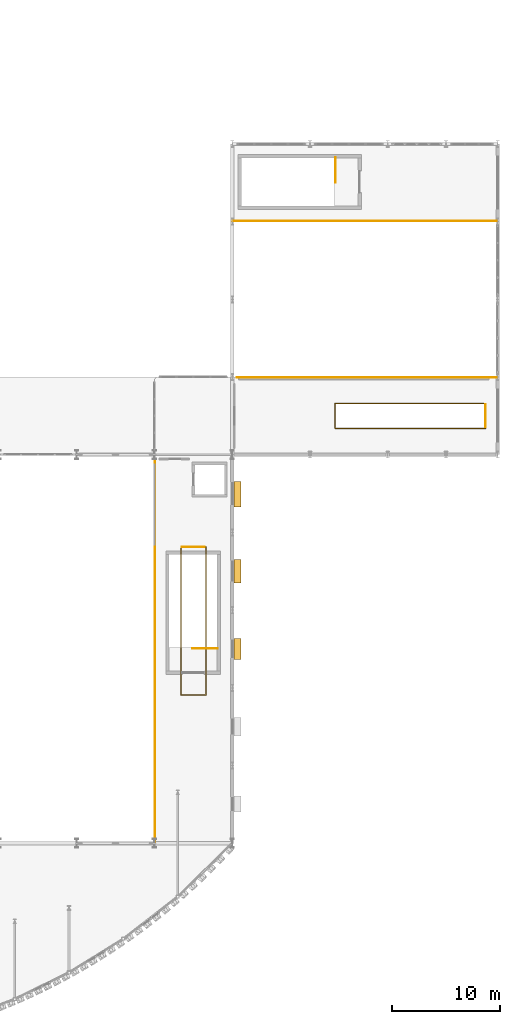
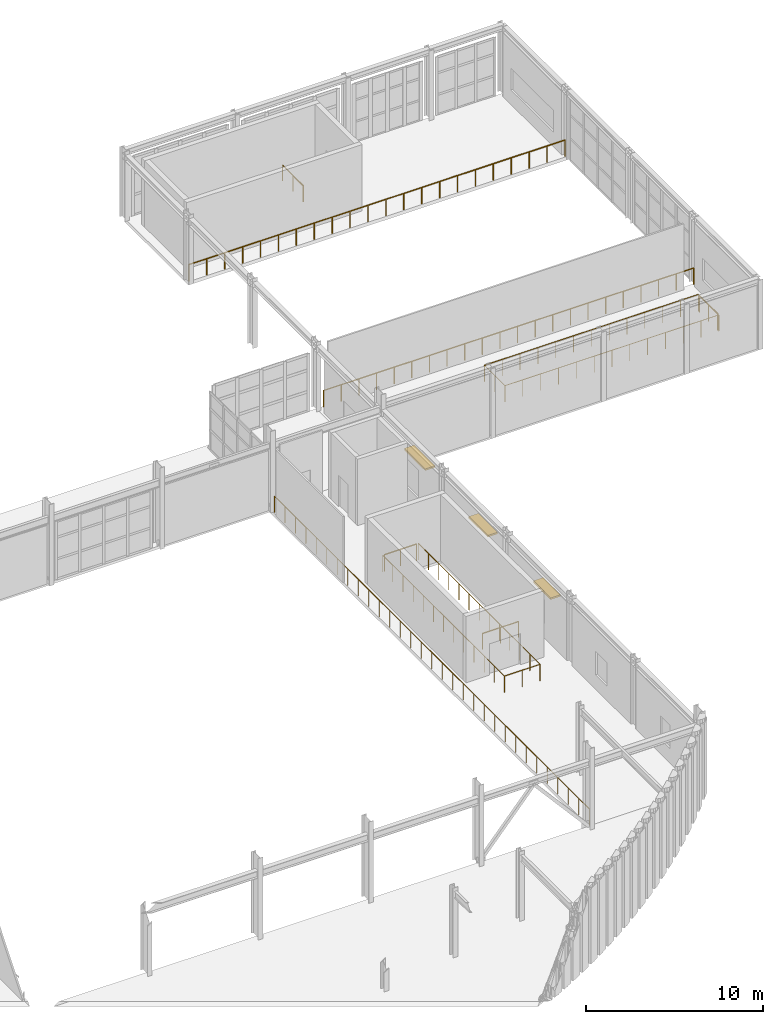
# One storey, part 126 of 126: 9 railings, 3 shading devices.
"""IFC4 building model written with IfcOpenShell, lengths in metres."""

from ifc_helpers import new_model, si_unit, direction, frame, origin, origin_2d, place, context, subcontext, project, spatial, rectangle, circle, extrude, material, type_object, element, save


model = new_model("IFC4")

# Units and contexts
model_context = context("Model", 3, precision=1e-05, world=origin(), true_north=direction((0.0, 1.0)))
body_context = subcontext(model_context, "Body", "Model", "MODEL_VIEW")
ifc_project = project(units=[si_unit("LENGTHUNIT", "METRE"), si_unit("AREAUNIT", "SQUARE_METRE"), si_unit("VOLUMEUNIT", "CUBIC_METRE"), si_unit("PLANEANGLEUNIT", "RADIAN"), si_unit("MASSUNIT", "GRAM", prefix="KILO")], contexts=[model_context])

# Site, building, storey
site_placement = place(None, origin())
site = spatial("IfcSite", under=ifc_project, at=site_placement, CompositionType="ELEMENT")
building_placement = place(site_placement, origin())
building = spatial("IfcBuilding", under=site, at=building_placement, Name="Solvadek Multi-Sports Hall", CompositionType="ELEMENT")
storey_placement = place(building_placement, frame((0.0, 0.0, 9.60009765625)))
storey = spatial("IfcBuildingStorey", under=building, at=storey_placement, Name="L02", CompositionType="ELEMENT", Elevation=9.60009765625)

# Shading devices
ifc_material_1 = material(Name="Perforated champagne-bronze anodised aluminium", Category="aluminium")
shading_device_type = type_object("IfcShadingDeviceType", Name="ENV-SHD-CHAJJA2", PredefinedType="JALOUSIE", material=ifc_material_1)
shading_device_1_placement = place(storey_placement, frame((137.26953125, 24.0, 2.669921875), z_axis=(0.0, 0.0, 1.0), x_axis=(0.0, 1.0, 0.0)))
element("IfcShadingDevice", 1, at=shading_device_1_placement, inside=storey, type_object=shading_device_type, Name="L02 Chajja Solar Shading Hood #60", PredefinedType="JALOUSIE", context=body_context, shape_type="SweptSolid", body=[
    extrude(rectangle(XDim=1.949951171875, YDim=0.639892578125, at=origin_2d()), origin(), (0.0, 0.0, 1.0), 0.1201171875),
])
shading_device_2_placement = place(storey_placement, frame((137.26953125, 31.199951171875, 2.669921875), z_axis=(0.0, 0.0, 1.0), x_axis=(0.0, 1.0, 0.0)))
element("IfcShadingDevice", 2, at=shading_device_2_placement, inside=storey, type_object=shading_device_type, Name="L02 Chajja Solar Shading Hood #62", PredefinedType="JALOUSIE", context=body_context, shape_type="SweptSolid", body=[
    extrude(rectangle(XDim=2.14990234375, YDim=0.639892578125, at=origin_2d()), origin(), (0.0, 0.0, 1.0), 0.1201171875),
])
shading_device_3_placement = place(storey_placement, frame((137.26953125, 38.35009765625, 2.9697265625), z_axis=(0.0, 0.0, 1.0), x_axis=(0.0, 1.0, 0.0)))
element("IfcShadingDevice", 3, at=shading_device_3_placement, inside=storey, type_object=shading_device_type, Name="L02 Chajja Solar Shading Hood #64", PredefinedType="JALOUSIE", context=body_context, shape_type="SweptSolid", body=[
    extrude(rectangle(XDim=2.35009765625, YDim=0.639892578125, at=origin_2d()), origin(), (0.0, 0.0, 1.0), 0.1201171875),
])

# Railings
ifc_material_2 = material(Name="Steel E250 (250 MPa)", Category="steel")
railing_type = type_object("IfcRailingType", Name="INT-RAL-GRD115", PredefinedType="BALUSTRADE", material=ifc_material_2)
railing_1_placement = place(storey_placement, frame((135.449951171875, 24.050048828125, 0.0)))
element("IfcRailing", 4, at=railing_1_placement, inside=storey, type_object=railing_type, Name="L02 ST-05 top well guard 1", PredefinedType="BALUSTRADE", context=body_context, shape_type="SweptSolid", body=[
    extrude(circle(Radius=0.02392578125, at=origin_2d()), frame((0.0, 0.0, 1.076171875), z_axis=(-1.0, 0.0, 0.0), x_axis=(0.0, -1.0, 0.0)), (0.0, 0.0, 1.0), 2.349853515625),
    extrude(circle(Radius=0.02099609375, at=origin_2d()), origin(), (0.0, 0.0, 1.0), 1.052001953125),
    extrude(circle(Radius=0.02099609375, at=origin_2d()), frame((-1.1748046875, 0.0, 0.0)), (0.0, 0.0, 1.0), 1.052001953125),
    extrude(circle(Radius=0.02099609375, at=origin_2d()), frame((-2.349853515625, 0.0, 0.0)), (0.0, 0.0, 1.0), 1.052001953125),
])
railing_2_placement = place(storey_placement, frame((146.35009765625, 69.550048828125, 0.0)))
element("IfcRailing", 5, at=railing_2_placement, inside=storey, type_object=railing_type, Name="L02 ST-06 top well guard 1", PredefinedType="BALUSTRADE", context=body_context, shape_type="SweptSolid", body=[
    extrude(circle(Radius=0.02392578125, at=origin_2d()), frame((0.0, 0.0, 1.076171875), z_axis=(0.0, -1.0, 0.0), x_axis=(1.0, 0.0, 0.0)), (0.0, 0.0, 1.0), 2.35009765625),
    extrude(circle(Radius=0.02099609375, at=origin_2d()), origin(), (0.0, 0.0, 1.0), 1.052001953125),
    extrude(circle(Radius=0.02099609375, at=origin_2d()), frame((0.0, -1.175048828125, 0.0)), (0.0, 0.0, 1.0), 1.052001953125),
    extrude(circle(Radius=0.02099609375, at=origin_2d()), frame((0.0, -2.35009765625, 0.0)), (0.0, 0.0, 1.0), 1.052001953125),
])
railing_3_placement = place(storey_placement, frame((132.0400390625, 33.4599609375, 0.0)))
element("IfcRailing", 6, at=railing_3_placement, inside=storey, type_object=railing_type, Name="L02 Void Edge Balustrade Guard #33", PredefinedType="BALUSTRADE", context=body_context, shape_type="SweptSolid", body=[
    extrude(circle(Radius=0.02392578125, at=origin_2d()), frame((0.0, 0.0, 1.1259765625), z_axis=(0.0, -1.0, 0.0), x_axis=(1.0, 0.0, 0.0)), (0.0, 0.0, 1.0), 13.719970703125),
    extrude(circle(Radius=0.02392578125, at=origin_2d()), frame((0.0, -13.719970703125, 1.1259765625), z_axis=(1.0, 0.0, 0.0), x_axis=(0.0, 1.0, 0.0)), (0.0, 0.0, 1.0), 2.320068359375),
    extrude(circle(Radius=0.02392578125, at=origin_2d()), frame((2.320068359375, -13.719970703125, 1.1259765625), z_axis=(0.0, 1.0, 0.0), x_axis=(-1.0, 0.0, 0.0)), (0.0, 0.0, 1.0), 13.719970703125),
    extrude(circle(Radius=0.02099609375, at=origin_2d()), origin(), (0.0, 0.0, 1.0), 1.101806640625),
    extrude(circle(Radius=0.02099609375, at=origin_2d()), frame((0.0, -1.143310546875, 0.0)), (0.0, 0.0, 1.0), 1.101806640625),
    extrude(circle(Radius=0.02099609375, at=origin_2d()), frame((0.0, -2.28662109375, 0.0)), (0.0, 0.0, 1.0), 1.101806640625),
    extrude(circle(Radius=0.02099609375, at=origin_2d()), frame((0.0, -3.429931640625, 0.0)), (0.0, 0.0, 1.0), 1.101806640625),
    extrude(circle(Radius=0.02099609375, at=origin_2d()), frame((0.0, -4.5732421875, 0.0)), (0.0, 0.0, 1.0), 1.101806640625),
    extrude(circle(Radius=0.02099609375, at=origin_2d()), frame((0.0, -5.716552734375, 0.0)), (0.0, 0.0, 1.0), 1.101806640625),
    extrude(circle(Radius=0.02099609375, at=origin_2d()), frame((0.0, -6.85986328125, 0.0)), (0.0, 0.0, 1.0), 1.101806640625),
    extrude(circle(Radius=0.02099609375, at=origin_2d()), frame((0.0, -8.00341796875, 0.0)), (0.0, 0.0, 1.0), 1.101806640625),
    extrude(circle(Radius=0.02099609375, at=origin_2d()), frame((0.0, -9.146728515625, 0.0)), (0.0, 0.0, 1.0), 1.101806640625),
    extrude(circle(Radius=0.02099609375, at=origin_2d()), frame((0.0, -10.2900390625, 0.0)), (0.0, 0.0, 1.0), 1.101806640625),
    extrude(circle(Radius=0.02099609375, at=origin_2d()), frame((0.0, -11.433349609375, 0.0)), (0.0, 0.0, 1.0), 1.101806640625),
    extrude(circle(Radius=0.02099609375, at=origin_2d()), frame((0.0, -12.57666015625, 0.0)), (0.0, 0.0, 1.0), 1.101806640625),
    extrude(circle(Radius=0.02099609375, at=origin_2d()), frame((0.0, -13.719970703125, 0.0)), (0.0, 0.0, 1.0), 1.101806640625),
    extrude(circle(Radius=0.02099609375, at=origin_2d()), frame((1.16015625, -13.719970703125, 0.0)), (0.0, 0.0, 1.0), 1.101806640625),
    extrude(circle(Radius=0.02099609375, at=origin_2d()), frame((2.320068359375, -13.719970703125, 0.0)), (0.0, 0.0, 1.0), 1.101806640625),
    extrude(circle(Radius=0.02099609375, at=origin_2d()), frame((2.320068359375, -12.57666015625, 0.0)), (0.0, 0.0, 1.0), 1.101806640625),
    extrude(circle(Radius=0.02099609375, at=origin_2d()), frame((2.320068359375, -11.433349609375, 0.0)), (0.0, 0.0, 1.0), 1.101806640625),
    extrude(circle(Radius=0.02099609375, at=origin_2d()), frame((2.320068359375, -10.2900390625, 0.0)), (0.0, 0.0, 1.0), 1.101806640625),
    extrude(circle(Radius=0.02099609375, at=origin_2d()), frame((2.320068359375, -9.146728515625, 0.0)), (0.0, 0.0, 1.0), 1.101806640625),
    extrude(circle(Radius=0.02099609375, at=origin_2d()), frame((2.320068359375, -8.00341796875, 0.0)), (0.0, 0.0, 1.0), 1.101806640625),
    extrude(circle(Radius=0.02099609375, at=origin_2d()), frame((2.320068359375, -6.85986328125, 0.0)), (0.0, 0.0, 1.0), 1.101806640625),
    extrude(circle(Radius=0.02099609375, at=origin_2d()), frame((2.320068359375, -5.716552734375, 0.0)), (0.0, 0.0, 1.0), 1.101806640625),
    extrude(circle(Radius=0.02099609375, at=origin_2d()), frame((2.320068359375, -4.5732421875, 0.0)), (0.0, 0.0, 1.0), 1.101806640625),
    extrude(circle(Radius=0.02099609375, at=origin_2d()), frame((2.320068359375, -3.429931640625, 0.0)), (0.0, 0.0, 1.0), 1.101806640625),
    extrude(circle(Radius=0.02099609375, at=origin_2d()), frame((2.320068359375, -2.28662109375, 0.0)), (0.0, 0.0, 1.0), 1.101806640625),
    extrude(circle(Radius=0.02099609375, at=origin_2d()), frame((2.320068359375, -1.143310546875, 0.0)), (0.0, 0.0, 1.0), 1.101806640625),
    extrude(circle(Radius=0.02099609375, at=origin_2d()), frame((2.320068359375, 0.0, 0.0)), (0.0, 0.0, 1.0), 1.101806640625),
])
railing_4_placement = place(storey_placement, frame((132.159912109375, 33.4599609375, 0.0)))
element("IfcRailing", 7, at=railing_4_placement, inside=storey, type_object=railing_type, Name="L02 Void Edge Balustrade Guard #34", PredefinedType="BALUSTRADE", context=body_context, shape_type="SweptSolid", body=[
    extrude(circle(Radius=0.02392578125, at=origin_2d()), frame((0.0, 0.0, 1.1259765625), z_axis=(1.0, 0.0, 0.0), x_axis=(0.0, 1.0, 0.0)), (0.0, 0.0, 1.0), 2.080078125),
    extrude(circle(Radius=0.02099609375, at=origin_2d()), origin(), (0.0, 0.0, 1.0), 1.101806640625),
    extrude(circle(Radius=0.02099609375, at=origin_2d()), frame((1.0400390625, 0.0, 0.0)), (0.0, 0.0, 1.0), 1.101806640625),
    extrude(circle(Radius=0.02099609375, at=origin_2d()), frame((2.080078125, 0.0, 0.0)), (0.0, 0.0, 1.0), 1.101806640625),
])
railing_5_placement = place(storey_placement, frame((160.260009765625, 44.43994140625, 0.0)))
element("IfcRailing", 8, at=railing_5_placement, inside=storey, type_object=railing_type, Name="L02 Void Edge Balustrade Guard #35", PredefinedType="BALUSTRADE", context=body_context, shape_type="SweptSolid", body=[
    extrude(circle(Radius=0.02392578125, at=origin_2d()), frame((0.0, 0.0, 1.1259765625), z_axis=(-1.0, 0.0, 0.0), x_axis=(0.0, -1.0, 0.0)), (0.0, 0.0, 1.0), 13.919921875),
    extrude(circle(Radius=0.02392578125, at=origin_2d()), frame((-13.919921875, 0.0, 1.1259765625), z_axis=(0.0, 1.0, 0.0), x_axis=(-1.0, 0.0, 0.0)), (0.0, 0.0, 1.0), 2.320068359375),
    extrude(circle(Radius=0.02392578125, at=origin_2d()), frame((-13.919921875, 2.320068359375, 1.1259765625), z_axis=(1.0, 0.0, 0.0), x_axis=(0.0, 1.0, 0.0)), (0.0, 0.0, 1.0), 13.919921875),
    extrude(circle(Radius=0.02099609375, at=origin_2d()), origin(), (0.0, 0.0, 1.0), 1.101806640625),
    extrude(circle(Radius=0.02099609375, at=origin_2d()), frame((-1.159912109375, 0.0, 0.0)), (0.0, 0.0, 1.0), 1.101806640625),
    extrude(circle(Radius=0.02099609375, at=origin_2d()), frame((-2.320068359375, 0.0, 0.0)), (0.0, 0.0, 1.0), 1.101806640625),
    extrude(circle(Radius=0.02099609375, at=origin_2d()), frame((-3.47998046875, 0.0, 0.0)), (0.0, 0.0, 1.0), 1.101806640625),
    extrude(circle(Radius=0.02099609375, at=origin_2d()), frame((-4.639892578125, 0.0, 0.0)), (0.0, 0.0, 1.0), 1.101806640625),
    extrude(circle(Radius=0.02099609375, at=origin_2d()), frame((-5.800048828125, 0.0, 0.0)), (0.0, 0.0, 1.0), 1.101806640625),
    extrude(circle(Radius=0.02099609375, at=origin_2d()), frame((-6.9599609375, 0.0, 0.0)), (0.0, 0.0, 1.0), 1.101806640625),
    extrude(circle(Radius=0.02099609375, at=origin_2d()), frame((-8.119873046875, 0.0, 0.0)), (0.0, 0.0, 1.0), 1.101806640625),
    extrude(circle(Radius=0.02099609375, at=origin_2d()), frame((-9.280029296875, 0.0, 0.0)), (0.0, 0.0, 1.0), 1.101806640625),
    extrude(circle(Radius=0.02099609375, at=origin_2d()), frame((-10.43994140625, 0.0, 0.0)), (0.0, 0.0, 1.0), 1.101806640625),
    extrude(circle(Radius=0.02099609375, at=origin_2d()), frame((-11.599853515625, 0.0, 0.0)), (0.0, 0.0, 1.0), 1.101806640625),
    extrude(circle(Radius=0.02099609375, at=origin_2d()), frame((-12.760009765625, 0.0, 0.0)), (0.0, 0.0, 1.0), 1.101806640625),
    extrude(circle(Radius=0.02099609375, at=origin_2d()), frame((-13.919921875, 0.0, 0.0)), (0.0, 0.0, 1.0), 1.101806640625),
    extrude(circle(Radius=0.02099609375, at=origin_2d()), frame((-13.919921875, 1.16015625, 0.0)), (0.0, 0.0, 1.0), 1.101806640625),
    extrude(circle(Radius=0.02099609375, at=origin_2d()), frame((-13.919921875, 2.320068359375, 0.0)), (0.0, 0.0, 1.0), 1.101806640625),
    extrude(circle(Radius=0.02099609375, at=origin_2d()), frame((-12.760009765625, 2.320068359375, 0.0)), (0.0, 0.0, 1.0), 1.101806640625),
    extrude(circle(Radius=0.02099609375, at=origin_2d()), frame((-11.599853515625, 2.320068359375, 0.0)), (0.0, 0.0, 1.0), 1.101806640625),
    extrude(circle(Radius=0.02099609375, at=origin_2d()), frame((-10.43994140625, 2.320068359375, 0.0)), (0.0, 0.0, 1.0), 1.101806640625),
    extrude(circle(Radius=0.02099609375, at=origin_2d()), frame((-9.280029296875, 2.320068359375, 0.0)), (0.0, 0.0, 1.0), 1.101806640625),
    extrude(circle(Radius=0.02099609375, at=origin_2d()), frame((-8.119873046875, 2.320068359375, 0.0)), (0.0, 0.0, 1.0), 1.101806640625),
    extrude(circle(Radius=0.02099609375, at=origin_2d()), frame((-6.9599609375, 2.320068359375, 0.0)), (0.0, 0.0, 1.0), 1.101806640625),
    extrude(circle(Radius=0.02099609375, at=origin_2d()), frame((-5.800048828125, 2.320068359375, 0.0)), (0.0, 0.0, 1.0), 1.101806640625),
    extrude(circle(Radius=0.02099609375, at=origin_2d()), frame((-4.639892578125, 2.320068359375, 0.0)), (0.0, 0.0, 1.0), 1.101806640625),
    extrude(circle(Radius=0.02099609375, at=origin_2d()), frame((-3.47998046875, 2.320068359375, 0.0)), (0.0, 0.0, 1.0), 1.101806640625),
    extrude(circle(Radius=0.02099609375, at=origin_2d()), frame((-2.320068359375, 2.320068359375, 0.0)), (0.0, 0.0, 1.0), 1.101806640625),
    extrude(circle(Radius=0.02099609375, at=origin_2d()), frame((-1.159912109375, 2.320068359375, 0.0)), (0.0, 0.0, 1.0), 1.101806640625),
    extrude(circle(Radius=0.02099609375, at=origin_2d()), frame((0.0, 2.320068359375, 0.0)), (0.0, 0.0, 1.0), 1.101806640625),
])
railing_6_placement = place(storey_placement, frame((160.260009765625, 44.56005859375, 0.0)))
element("IfcRailing", 9, at=railing_6_placement, inside=storey, type_object=railing_type, Name="L02 Void Edge Balustrade Guard #36", PredefinedType="BALUSTRADE", context=body_context, shape_type="SweptSolid", body=[
    extrude(circle(Radius=0.02392578125, at=origin_2d()), frame((0.0, 0.0, 1.1259765625), z_axis=(0.0, 1.0, 0.0), x_axis=(-1.0, 0.0, 0.0)), (0.0, 0.0, 1.0), 2.079833984375),
    extrude(circle(Radius=0.02099609375, at=origin_2d()), origin(), (0.0, 0.0, 1.0), 1.101806640625),
    extrude(circle(Radius=0.02099609375, at=origin_2d()), frame((0.0, 1.0400390625, 0.0)), (0.0, 0.0, 1.0), 1.101806640625),
    extrude(circle(Radius=0.02099609375, at=origin_2d()), frame((0.0, 2.079833984375, 0.0)), (0.0, 0.0, 1.0), 1.101806640625),
])
railing_7_placement = place(storey_placement, frame((137.25, 49.139892578125, 0.0)))
element("IfcRailing", 10, at=railing_7_placement, inside=storey, type_object=railing_type, Name="L02 Void Edge Balustrade Guard #56", PredefinedType="BALUSTRADE", context=body_context, shape_type="SweptSolid", body=[
    extrude(circle(Radius=0.02392578125, at=origin_2d()), frame((0.0, 0.0, 1.1259765625), z_axis=(1.0, 0.0, 0.0), x_axis=(0.0, 1.0, 0.0)), (0.0, 0.0, 1.0), 24.090087890625),
    extrude(circle(Radius=0.02099609375, at=origin_2d()), origin(), (0.0, 0.0, 1.0), 1.101806640625),
    extrude(circle(Radius=0.02099609375, at=origin_2d()), frame((1.147216796875, 0.0, 0.0)), (0.0, 0.0, 1.0), 1.101806640625),
    extrude(circle(Radius=0.02099609375, at=origin_2d()), frame((2.294189453125, 0.0, 0.0)), (0.0, 0.0, 1.0), 1.101806640625),
    extrude(circle(Radius=0.02099609375, at=origin_2d()), frame((3.44140625, 0.0, 0.0)), (0.0, 0.0, 1.0), 1.101806640625),
    extrude(circle(Radius=0.02099609375, at=origin_2d()), frame((4.588623046875, 0.0, 0.0)), (0.0, 0.0, 1.0), 1.101806640625),
    extrude(circle(Radius=0.02099609375, at=origin_2d()), frame((5.73583984375, 0.0, 0.0)), (0.0, 0.0, 1.0), 1.101806640625),
    extrude(circle(Radius=0.02099609375, at=origin_2d()), frame((6.8828125, 0.0, 0.0)), (0.0, 0.0, 1.0), 1.101806640625),
    extrude(circle(Radius=0.02099609375, at=origin_2d()), frame((8.030029296875, 0.0, 0.0)), (0.0, 0.0, 1.0), 1.101806640625),
    extrude(circle(Radius=0.02099609375, at=origin_2d()), frame((9.17724609375, 0.0, 0.0)), (0.0, 0.0, 1.0), 1.101806640625),
    extrude(circle(Radius=0.02099609375, at=origin_2d()), frame((10.32421875, 0.0, 0.0)), (0.0, 0.0, 1.0), 1.101806640625),
    extrude(circle(Radius=0.02099609375, at=origin_2d()), frame((11.471435546875, 0.0, 0.0)), (0.0, 0.0, 1.0), 1.101806640625),
    extrude(circle(Radius=0.02099609375, at=origin_2d()), frame((12.61865234375, 0.0, 0.0)), (0.0, 0.0, 1.0), 1.101806640625),
    extrude(circle(Radius=0.02099609375, at=origin_2d()), frame((13.765869140625, 0.0, 0.0)), (0.0, 0.0, 1.0), 1.101806640625),
    extrude(circle(Radius=0.02099609375, at=origin_2d()), frame((14.912841796875, 0.0, 0.0)), (0.0, 0.0, 1.0), 1.101806640625),
    extrude(circle(Radius=0.02099609375, at=origin_2d()), frame((16.06005859375, 0.0, 0.0)), (0.0, 0.0, 1.0), 1.101806640625),
    extrude(circle(Radius=0.02099609375, at=origin_2d()), frame((17.207275390625, 0.0, 0.0)), (0.0, 0.0, 1.0), 1.101806640625),
    extrude(circle(Radius=0.02099609375, at=origin_2d()), frame((18.354248046875, 0.0, 0.0)), (0.0, 0.0, 1.0), 1.101806640625),
    extrude(circle(Radius=0.02099609375, at=origin_2d()), frame((19.50146484375, 0.0, 0.0)), (0.0, 0.0, 1.0), 1.101806640625),
    extrude(circle(Radius=0.02099609375, at=origin_2d()), frame((20.648681640625, 0.0, 0.0)), (0.0, 0.0, 1.0), 1.101806640625),
    extrude(circle(Radius=0.02099609375, at=origin_2d()), frame((21.7958984375, 0.0, 0.0)), (0.0, 0.0, 1.0), 1.101806640625),
    extrude(circle(Radius=0.02099609375, at=origin_2d()), frame((22.94287109375, 0.0, 0.0)), (0.0, 0.0, 1.0), 1.101806640625),
    extrude(circle(Radius=0.02099609375, at=origin_2d()), frame((24.090087890625, 0.0, 0.0)), (0.0, 0.0, 1.0), 1.101806640625),
])
railing_8_placement = place(storey_placement, frame((136.860107421875, 63.659912109375, 0.0)))
element("IfcRailing", 11, at=railing_8_placement, inside=storey, type_object=railing_type, Name="L02 Void Edge Balustrade Guard #57", PredefinedType="BALUSTRADE", context=body_context, shape_type="SweptSolid", body=[
    extrude(circle(Radius=0.02392578125, at=origin_2d()), frame((0.0, 0.0, 1.1259765625), z_axis=(1.0, 0.0, 0.0), x_axis=(0.0, 1.0, 0.0)), (0.0, 0.0, 1.0), 24.47998046875),
    extrude(circle(Radius=0.02099609375, at=origin_2d()), origin(), (0.0, 0.0, 1.0), 1.101806640625),
    extrude(circle(Radius=0.02099609375, at=origin_2d()), frame((1.165771484375, 0.0, 0.0)), (0.0, 0.0, 1.0), 1.101806640625),
    extrude(circle(Radius=0.02099609375, at=origin_2d()), frame((2.33154296875, 0.0, 0.0)), (0.0, 0.0, 1.0), 1.101806640625),
    extrude(circle(Radius=0.02099609375, at=origin_2d()), frame((3.4970703125, 0.0, 0.0)), (0.0, 0.0, 1.0), 1.101806640625),
    extrude(circle(Radius=0.02099609375, at=origin_2d()), frame((4.662841796875, 0.0, 0.0)), (0.0, 0.0, 1.0), 1.101806640625),
    extrude(circle(Radius=0.02099609375, at=origin_2d()), frame((5.82861328125, 0.0, 0.0)), (0.0, 0.0, 1.0), 1.101806640625),
    extrude(circle(Radius=0.02099609375, at=origin_2d()), frame((6.994384765625, 0.0, 0.0)), (0.0, 0.0, 1.0), 1.101806640625),
    extrude(circle(Radius=0.02099609375, at=origin_2d()), frame((8.159912109375, 0.0, 0.0)), (0.0, 0.0, 1.0), 1.101806640625),
    extrude(circle(Radius=0.02099609375, at=origin_2d()), frame((9.32568359375, 0.0, 0.0)), (0.0, 0.0, 1.0), 1.101806640625),
    extrude(circle(Radius=0.02099609375, at=origin_2d()), frame((10.491455078125, 0.0, 0.0)), (0.0, 0.0, 1.0), 1.101806640625),
    extrude(circle(Radius=0.02099609375, at=origin_2d()), frame((11.6572265625, 0.0, 0.0)), (0.0, 0.0, 1.0), 1.101806640625),
    extrude(circle(Radius=0.02099609375, at=origin_2d()), frame((12.82275390625, 0.0, 0.0)), (0.0, 0.0, 1.0), 1.101806640625),
    extrude(circle(Radius=0.02099609375, at=origin_2d()), frame((13.988525390625, 0.0, 0.0)), (0.0, 0.0, 1.0), 1.101806640625),
    extrude(circle(Radius=0.02099609375, at=origin_2d()), frame((15.154296875, 0.0, 0.0)), (0.0, 0.0, 1.0), 1.101806640625),
    extrude(circle(Radius=0.02099609375, at=origin_2d()), frame((16.320068359375, 0.0, 0.0)), (0.0, 0.0, 1.0), 1.101806640625),
    extrude(circle(Radius=0.02099609375, at=origin_2d()), frame((17.485595703125, 0.0, 0.0)), (0.0, 0.0, 1.0), 1.101806640625),
    extrude(circle(Radius=0.02099609375, at=origin_2d()), frame((18.6513671875, 0.0, 0.0)), (0.0, 0.0, 1.0), 1.101806640625),
    extrude(circle(Radius=0.02099609375, at=origin_2d()), frame((19.817138671875, 0.0, 0.0)), (0.0, 0.0, 1.0), 1.101806640625),
    extrude(circle(Radius=0.02099609375, at=origin_2d()), frame((20.98291015625, 0.0, 0.0)), (0.0, 0.0, 1.0), 1.101806640625),
    extrude(circle(Radius=0.02099609375, at=origin_2d()), frame((22.1484375, 0.0, 0.0)), (0.0, 0.0, 1.0), 1.101806640625),
    extrude(circle(Radius=0.02099609375, at=origin_2d()), frame((23.314208984375, 0.0, 0.0)), (0.0, 0.0, 1.0), 1.101806640625),
    extrude(circle(Radius=0.02099609375, at=origin_2d()), frame((24.47998046875, 0.0, 0.0)), (0.0, 0.0, 1.0), 1.101806640625),
])
railing_9_placement = place(storey_placement, frame((129.659912109375, 6.06005859375, 0.0)))
element("IfcRailing", 12, at=railing_9_placement, inside=storey, type_object=railing_type, Name="L02 Void Edge Balustrade Guard #64", PredefinedType="BALUSTRADE", context=body_context, shape_type="SweptSolid", body=[
    extrude(circle(Radius=0.02392578125, at=origin_2d()), frame((0.0, 0.0, 1.1259765625), z_axis=(0.0, 1.0, 0.0), x_axis=(-1.0, 0.0, 0.0)), (0.0, 0.0, 1.0), 35.489990234375),
    extrude(circle(Radius=0.02099609375, at=origin_2d()), origin(), (0.0, 0.0, 1.0), 1.101806640625),
    extrude(circle(Radius=0.02099609375, at=origin_2d()), frame((0.0, 1.18310546875, 0.0)), (0.0, 0.0, 1.0), 1.101806640625),
    extrude(circle(Radius=0.02099609375, at=origin_2d()), frame((0.0, 2.365966796875, 0.0)), (0.0, 0.0, 1.0), 1.101806640625),
    extrude(circle(Radius=0.02099609375, at=origin_2d()), frame((0.0, 3.549072265625, 0.0)), (0.0, 0.0, 1.0), 1.101806640625),
    extrude(circle(Radius=0.02099609375, at=origin_2d()), frame((0.0, 4.73193359375, 0.0)), (0.0, 0.0, 1.0), 1.101806640625),
    extrude(circle(Radius=0.02099609375, at=origin_2d()), frame((0.0, 5.9150390625, 0.0)), (0.0, 0.0, 1.0), 1.101806640625),
    extrude(circle(Radius=0.02099609375, at=origin_2d()), frame((0.0, 7.097900390625, 0.0)), (0.0, 0.0, 1.0), 1.101806640625),
    extrude(circle(Radius=0.02099609375, at=origin_2d()), frame((0.0, 8.281005859375, 0.0)), (0.0, 0.0, 1.0), 1.101806640625),
    extrude(circle(Radius=0.02099609375, at=origin_2d()), frame((0.0, 9.464111328125, 0.0)), (0.0, 0.0, 1.0), 1.101806640625),
    extrude(circle(Radius=0.02099609375, at=origin_2d()), frame((0.0, 10.64697265625, 0.0)), (0.0, 0.0, 1.0), 1.101806640625),
    extrude(circle(Radius=0.02099609375, at=origin_2d()), frame((0.0, 11.830078125, 0.0)), (0.0, 0.0, 1.0), 1.101806640625),
    extrude(circle(Radius=0.02099609375, at=origin_2d()), frame((0.0, 13.012939453125, 0.0)), (0.0, 0.0, 1.0), 1.101806640625),
    extrude(circle(Radius=0.02099609375, at=origin_2d()), frame((0.0, 14.196044921875, 0.0)), (0.0, 0.0, 1.0), 1.101806640625),
    extrude(circle(Radius=0.02099609375, at=origin_2d()), frame((0.0, 15.37890625, 0.0)), (0.0, 0.0, 1.0), 1.101806640625),
    extrude(circle(Radius=0.02099609375, at=origin_2d()), frame((0.0, 16.56201171875, 0.0)), (0.0, 0.0, 1.0), 1.101806640625),
    extrude(circle(Radius=0.02099609375, at=origin_2d()), frame((0.0, 17.7451171875, 0.0)), (0.0, 0.0, 1.0), 1.101806640625),
    extrude(circle(Radius=0.02099609375, at=origin_2d()), frame((0.0, 18.927978515625, 0.0)), (0.0, 0.0, 1.0), 1.101806640625),
    extrude(circle(Radius=0.02099609375, at=origin_2d()), frame((0.0, 20.111083984375, 0.0)), (0.0, 0.0, 1.0), 1.101806640625),
    extrude(circle(Radius=0.02099609375, at=origin_2d()), frame((0.0, 21.2939453125, 0.0)), (0.0, 0.0, 1.0), 1.101806640625),
    extrude(circle(Radius=0.02099609375, at=origin_2d()), frame((0.0, 22.47705078125, 0.0)), (0.0, 0.0, 1.0), 1.101806640625),
    extrude(circle(Radius=0.02099609375, at=origin_2d()), frame((0.0, 23.659912109375, 0.0)), (0.0, 0.0, 1.0), 1.101806640625),
    extrude(circle(Radius=0.02099609375, at=origin_2d()), frame((0.0, 24.843017578125, 0.0)), (0.0, 0.0, 1.0), 1.101806640625),
    extrude(circle(Radius=0.02099609375, at=origin_2d()), frame((0.0, 26.02587890625, 0.0)), (0.0, 0.0, 1.0), 1.101806640625),
    extrude(circle(Radius=0.02099609375, at=origin_2d()), frame((0.0, 27.208984375, 0.0)), (0.0, 0.0, 1.0), 1.101806640625),
    extrude(circle(Radius=0.02099609375, at=origin_2d()), frame((0.0, 28.39208984375, 0.0)), (0.0, 0.0, 1.0), 1.101806640625),
    extrude(circle(Radius=0.02099609375, at=origin_2d()), frame((0.0, 29.574951171875, 0.0)), (0.0, 0.0, 1.0), 1.101806640625),
    extrude(circle(Radius=0.02099609375, at=origin_2d()), frame((0.0, 30.758056640625, 0.0)), (0.0, 0.0, 1.0), 1.101806640625),
    extrude(circle(Radius=0.02099609375, at=origin_2d()), frame((0.0, 31.94091796875, 0.0)), (0.0, 0.0, 1.0), 1.101806640625),
    extrude(circle(Radius=0.02099609375, at=origin_2d()), frame((0.0, 33.1240234375, 0.0)), (0.0, 0.0, 1.0), 1.101806640625),
    extrude(circle(Radius=0.02099609375, at=origin_2d()), frame((0.0, 34.306884765625, 0.0)), (0.0, 0.0, 1.0), 1.101806640625),
    extrude(circle(Radius=0.02099609375, at=origin_2d()), frame((0.0, 35.489990234375, 0.0)), (0.0, 0.0, 1.0), 1.101806640625),
])

save(model, "model.ifc")
